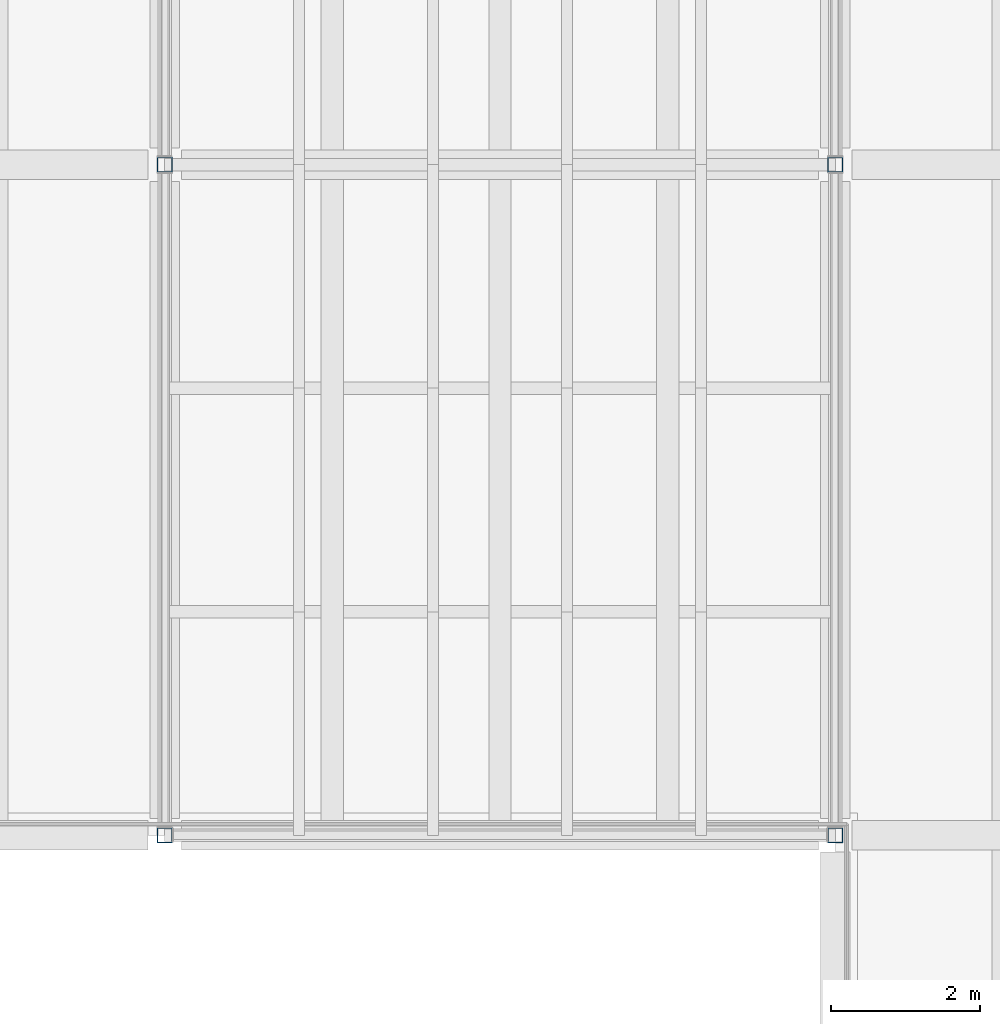
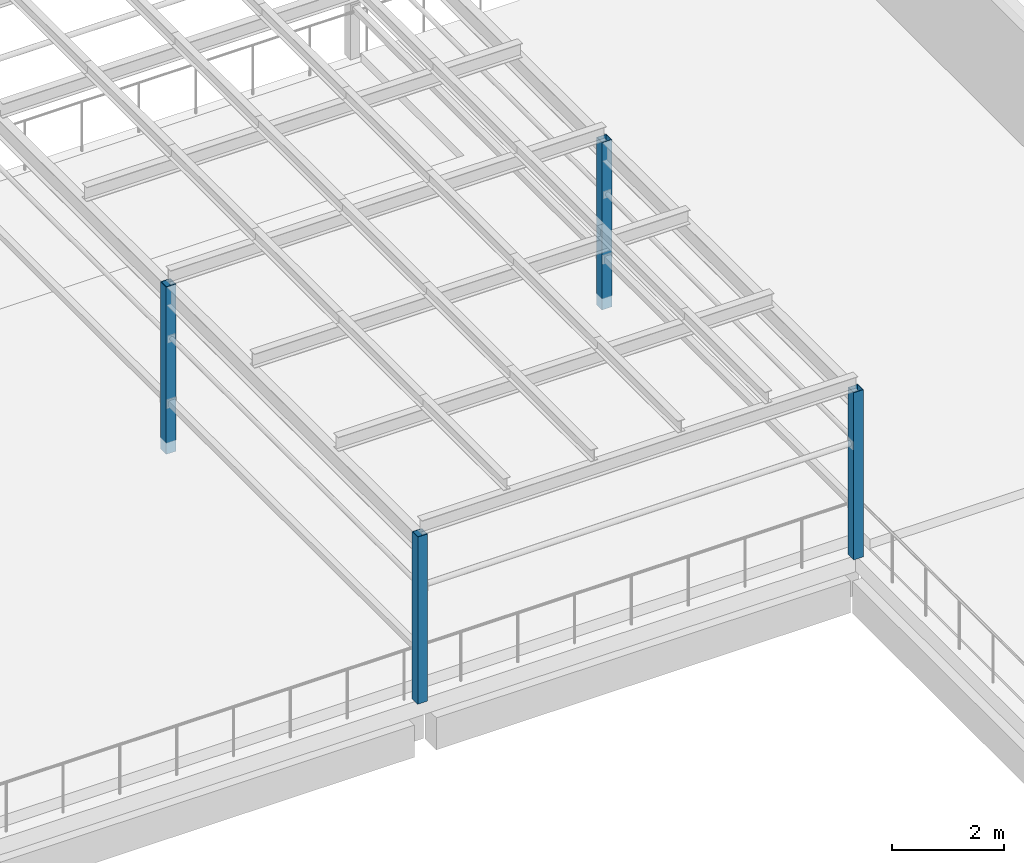
# One storey, part 2 of 74: 4 columns.
"""IFC4 building model written with IfcOpenShell, lengths in metres."""

from ifc_helpers import new_model, si_unit, direction, frame, origin, origin_2d, place, context, subcontext, project, spatial, hollow_rectangle, extrude, material, material_profile, profile_set, type_object, element, save


model = new_model("IFC4")

# Units and contexts
model_context = context("Model", 3, precision=1e-05, world=origin(), true_north=direction((0.0, 1.0)))
body_context = subcontext(model_context, "Body", "Model", "MODEL_VIEW")
ifc_project = project(units=[si_unit("LENGTHUNIT", "METRE"), si_unit("AREAUNIT", "SQUARE_METRE"), si_unit("VOLUMEUNIT", "CUBIC_METRE"), si_unit("PLANEANGLEUNIT", "RADIAN"), si_unit("MASSUNIT", "GRAM", prefix="KILO")], contexts=[model_context])

# Site, building, storey
site_placement = place(None, origin())
site = spatial("IfcSite", under=ifc_project, at=site_placement, CompositionType="ELEMENT")
building_placement = place(site_placement, origin())
building = spatial("IfcBuilding", under=site, at=building_placement, Name="Merrow Basin Faculty of Sciences", CompositionType="ELEMENT")
storey_placement = place(building_placement, frame((0.0, 0.0, 13.5)))
storey = spatial("IfcBuildingStorey", under=building, at=storey_placement, Name="L03", CompositionType="ELEMENT", Elevation=13.5)

# Columns
ifc_material = material(Name="Steel ASTM A500 Gr C", Category="steel")
ifc_material_profile = material_profile(ifc_material, hollow_rectangle(XDim=0.202880859375, YDim=0.202880859375, WallThickness=0.009521484375, at=origin_2d()))
ifc_profile_set = profile_set([ifc_material_profile], Name="Steel ASTM A500 Gr C")
column_type = type_object("IfcColumnType", Name="Terrace trellis column HSS203x203x9.5", PredefinedType="COLUMN", material=ifc_profile_set)
for number, where, z_axis, x_axis, name in (
    (1, (45.0, 115.0, 0.0), (0.0, 0.0, 1.0), (1.0, 0.0, 0.0), "Terrace trellis column L03"),
    (2, (45.0, 124.0, 0.0), (0.0, 0.0, 1.0), (1.0, 0.0, 0.0), "Terrace trellis column L03"),
    (3, (54.0, 115.0, 0.0), (0.0, 0.0, 1.0), (1.0, 0.0, 0.0), "Terrace trellis column L03"),
    (4, (54.0, 124.0, 0.0), (0.0, 0.0, 1.0), (1.0, 0.0, 0.0), "Terrace trellis column L03"),
):
    element("IfcColumn", number, at=place(storey_placement, frame(where, z_axis=z_axis, x_axis=x_axis)), inside=storey, type_object=column_type, Name=name, PredefinedType="COLUMN", context=body_context, shape_type="SweptSolid", body=[
        extrude(hollow_rectangle(XDim=0.202880859375, YDim=0.202880859375, WallThickness=0.009521484375, at=origin_2d()), origin(), (0.0, 0.0, 1.0), 3.64990234375),
    ])

save(model, "model.ifc")
